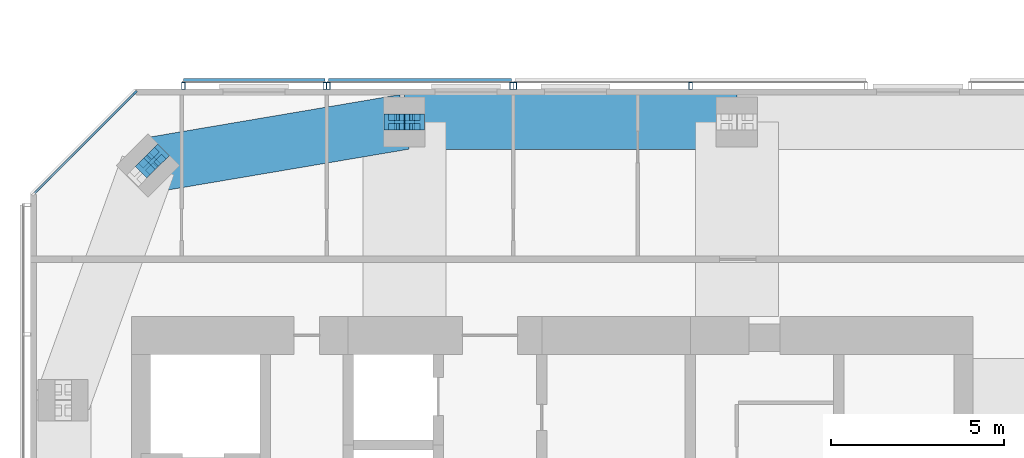
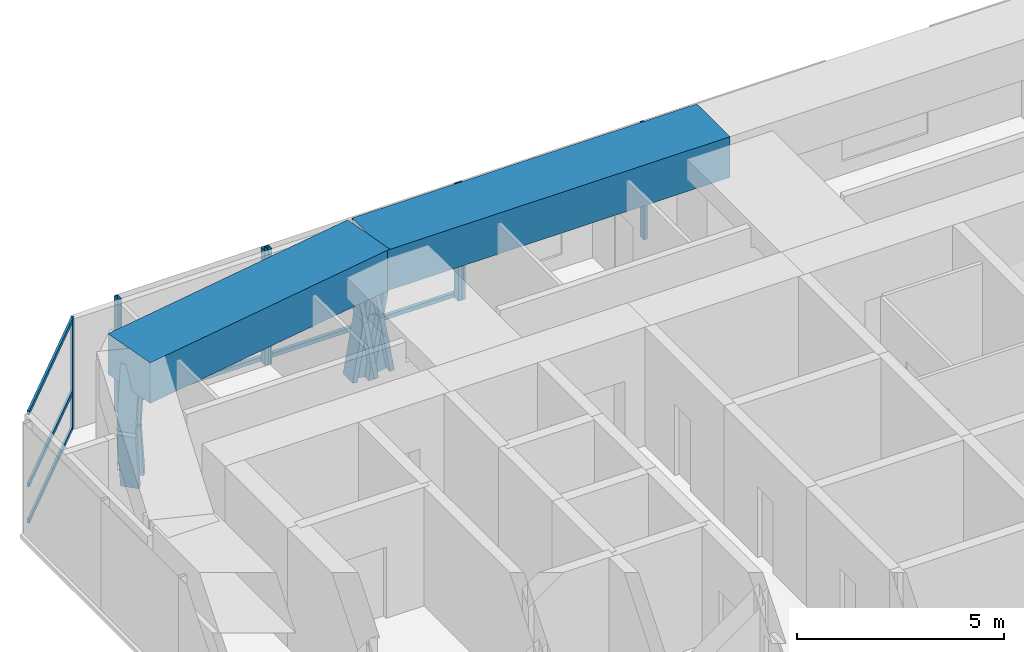
# One storey, part 10 of 20: 18 members, 2 beams, 4 elements without a shape of their own.
"""IFC4 building model written with IfcOpenShell, lengths in metres."""

from ifc_helpers import new_model, si_unit, direction, frame, origin, origin_2d, place, context, subcontext, project, spatial, rectangle, hollow_rectangle, i_section, extrude, material, material_profile, profile_set, type_object, element, aggregate, save


model = new_model("IFC4")

# Units and contexts
model_context = context("Model", 3, precision=1e-05, world=origin(), true_north=direction((0.0, 1.0)))
body_context = subcontext(model_context, "Body", "Model", "MODEL_VIEW")
ifc_project = project(units=[si_unit("LENGTHUNIT", "METRE"), si_unit("AREAUNIT", "SQUARE_METRE"), si_unit("VOLUMEUNIT", "CUBIC_METRE"), si_unit("PLANEANGLEUNIT", "RADIAN"), si_unit("MASSUNIT", "GRAM", prefix="KILO")], contexts=[model_context])

# Site, building, storey
site_placement = place(None, origin())
site = spatial("IfcSite", under=ifc_project, at=site_placement, CompositionType="ELEMENT")
building_placement = place(site_placement, origin())
building = spatial("IfcBuilding", under=site, at=building_placement, Name="Jalousie Tower", CompositionType="ELEMENT")
storey_placement = place(building_placement, frame((0.0, 0.0, 245.949951171875)))
storey = spatial("IfcBuildingStorey", under=building, at=storey_placement, Name="L67", CompositionType="ELEMENT", Elevation=245.949951171875)

# Curtain wall, members
ifc_material_1 = material(Name="Aluminium curtain wall", Category="aluminium")
curtain_wall_type_1 = type_object("IfcCurtainWallType", Name="CORNER WINDOW WALL", PredefinedType="USERDEFINED", material=ifc_material_1)
curtain_wall_1_placement = place(storey_placement, origin())
curtain_wall_1 = element("IfcCurtainWall", 1, at=curtain_wall_1_placement, inside=storey, type_object=curtain_wall_type_1, Name="Corner Window Wall L67 6", ObjectType="CORNER WINDOW WALL", PredefinedType="USERDEFINED")
ifc_material_2 = material(Name="Aluminium mullion", Category="aluminium")
ifc_material_profile_1 = material_profile(ifc_material_2, rectangle(XDim=0.06005859375, YDim=0.14990234375, at=origin_2d()), Name="MULLION 60x150")
ifc_profile_set_1 = profile_set([ifc_material_profile_1], Name="Aluminium mullion")
member_type_1 = type_object("IfcMemberType", Name="CORNER WINDOW WALL MULLION", PredefinedType="MULLION", material=ifc_profile_set_1)
member_1_placement = place(storey_placement, frame((19.830078125, 33.891357421875, 0.0), z_axis=(0.0, 0.0, 1.0), x_axis=(0.707106781187, -0.707106781187, 0.0)))
member_1 = element("IfcMember", 2, at=member_1_placement, type_object=member_type_1, Name="CW-C mullion 1", PredefinedType="MULLION", context=body_context, shape_type="SweptSolid", body=[
    extrude(rectangle(XDim=0.06005859375, YDim=0.14990234375, at=origin_2d()), origin(), (0.0, 0.0, 1.0), 3.260009765625),
])
ifc_material_3 = material(Name="Aluminium transom", Category="aluminium")
ifc_material_profile_2 = material_profile(ifc_material_3, rectangle(XDim=0.06005859375, YDim=0.1201171875, at=origin_2d()), Name="TRANSOM 60x120")
ifc_profile_set_2 = profile_set([ifc_material_profile_2], Name="Aluminium transom")
member_type_2 = type_object("IfcMemberType", Name="CORNER WINDOW WALL TRANSOM", PredefinedType="USERDEFINED", material=ifc_profile_set_2)
member_2_placement = place(storey_placement, frame((19.808837890625, 33.8701171875, 0.030029296875), z_axis=(-0.707106781187, -0.707106781187, 0.0), x_axis=(0.707106781187, -0.707106781187, 0.0)))
member_2 = element("IfcMember", 3, at=member_2_placement, type_object=member_type_2, Name="CW-C transom 1.1", ObjectType="TRANSOM", PredefinedType="USERDEFINED", context=body_context, shape_type="SweptSolid", body=[
    extrude(rectangle(XDim=0.06005859375, YDim=0.1201171875, at=origin_2d()), origin(), (0.0, 0.0, 1.0), 4.0712890625),
])
member_3_placement = place(storey_placement, frame((19.808837890625, 33.8701171875, 1.10009765625), z_axis=(-0.707106781187, -0.707106781187, 0.0), x_axis=(0.707106781187, -0.707106781187, 0.0)))
member_3 = element("IfcMember", 4, at=member_3_placement, type_object=member_type_2, Name="CW-C transom 1.2", ObjectType="TRANSOM", PredefinedType="USERDEFINED", context=body_context, shape_type="SweptSolid", body=[
    extrude(rectangle(XDim=0.06005859375, YDim=0.1201171875, at=origin_2d()), origin(), (0.0, 0.0, 1.0), 4.0712890625),
])
member_4_placement = place(storey_placement, frame((19.808837890625, 33.8701171875, 3.22998046875), z_axis=(-0.707106781187, -0.707106781187, 0.0), x_axis=(0.707106781187, -0.707106781187, 0.0)))
member_4 = element("IfcMember", 5, at=member_4_placement, type_object=member_type_2, Name="CW-C transom 1.3", ObjectType="TRANSOM", PredefinedType="USERDEFINED", context=body_context, shape_type="SweptSolid", body=[
    extrude(rectangle(XDim=0.06005859375, YDim=0.1201171875, at=origin_2d()), origin(), (0.0, 0.0, 1.0), 4.0712890625),
])
aggregate(curtain_wall_1, [member_1, member_2, member_3, member_4])

# Members
ifc_material_4 = material(Name="Steel ASTM A992 Grade 50", Category="steel")
ifc_material_profile_3 = material_profile(ifc_material_4, i_section(OverallWidth=0.472412109375, OverallDepth=0.5791015625, WebThickness=0.094970703125, FlangeThickness=0.1298828125, at=origin_2d()), Name="W14X808")
ifc_profile_set_3 = profile_set([ifc_material_profile_3], Name="Steel ASTM A992 Grade 50")
member_type_3 = type_object("IfcMemberType", Name="PERIMETER BRACE W14X808", PredefinedType="BRACE", material=ifc_profile_set_3)
for number, where, z_axis, x_axis, name in (
    (6, (27.324951171875, 33.050048828125, -0.599853515625), (0.168990530437, 0.0, 0.98561767467), (0.0, 1.0, 0.0), "Perimeter brace 11 L67 part 1"),
    (7, (27.625, 33.050048828125, 1.150146484375), (0.168990530437, 0.0, 0.98561767467), (0.0, 1.0, 0.0), "Perimeter brace 11 L67 part 2"),
    (8, (27.925048828125, 33.050048828125, -0.599853515625), (-0.168990530437, 0.0, 0.98561767467), (0.0, -1.0, 0.0), "Perimeter brace 11 L67 part 3"),
    (9, (27.625, 33.050048828125, 1.150146484375), (-0.168990530437, 0.0, 0.98561767467), (0.0, -1.0, 0.0), "Perimeter brace 11 L67 part 4"),
):
    element("IfcMember", number, at=place(storey_placement, frame(where, z_axis=z_axis, x_axis=x_axis)), inside=storey, type_object=member_type_3, Name=name, PredefinedType="BRACE", context=body_context, shape_type="SweptSolid", body=[
        extrude(i_section(OverallWidth=0.472412109375, OverallDepth=0.5791015625, WebThickness=0.094970703125, FlangeThickness=0.1298828125, at=origin_2d()), origin(), (0.0, 0.0, 1.0), 1.775634765625),
    ])
for number, where, z_axis, x_axis, name in (
    (10, (20.45458984375, 32.040283203125, -0.599853515625), (-0.138716051522, -0.138579250682, 0.980588419435), (0.706757851183, -0.707455539091, 0.0), "Perimeter brace 12 L67 part 1"),
    (11, (20.20703125, 31.79296875, 1.150146484375), (0.138716051522, 0.138579250682, 0.980588419435), (-0.706757851183, 0.707455539091, 0.0), "Perimeter brace 12 L67 part 4"),
):
    element("IfcMember", number, at=place(storey_placement, frame(where, z_axis=z_axis, x_axis=x_axis)), inside=storey, type_object=member_type_3, Name=name, PredefinedType="BRACE", context=body_context, shape_type="SweptSolid", body=[
        extrude(i_section(OverallWidth=0.472412109375, OverallDepth=0.5791015625, WebThickness=0.094970703125, FlangeThickness=0.1298828125, at=origin_2d()), origin(), (0.0, 0.0, 1.0), 1.78466796875),
    ])

# Beams
ifc_material_5 = material(Name="Concrete f'c 40 MPa", Category="concrete")
ifc_material_profile_4 = material_profile(ifc_material_5, rectangle(XDim=1.60009765625, YDim=1.199951171875, at=origin_2d()), Name="RC 1600x1200")
ifc_profile_set_4 = profile_set([ifc_material_profile_4], Name="Concrete f'c 40 MPa")
beam_type = type_object("IfcBeamType", Name="RC BEAM 1600x1200", PredefinedType="BEAM", material=ifc_profile_set_4)
beam_1_placement = place(storey_placement, frame((37.25, 33.050048828125, 2.900146484375), z_axis=(-1.0, 0.0, 0.0), x_axis=(0.0, -1.0, 0.0)))
element("IfcBeam", 12, at=beam_1_placement, inside=storey, type_object=beam_type, Name="Edge band beam 10-11 under L68", PredefinedType="BEAM", context=body_context, shape_type="SweptSolid", body=[
    extrude(rectangle(XDim=1.60009765625, YDim=1.199951171875, at=origin_2d()), origin(), (0.0, 0.0, 1.0), 9.625),
])
beam_2_placement = place(storey_placement, frame((27.625, 33.050048828125, 2.900146484375), z_axis=(-0.985942997446, -0.167082033105, 0.0), x_axis=(0.167082033105, -0.985942997446, 0.0)))
element("IfcBeam", 13, at=beam_2_placement, inside=storey, type_object=beam_type, Name="Edge band beam 11-12 under L68", PredefinedType="BEAM", context=body_context, shape_type="SweptSolid", body=[
    extrude(rectangle(XDim=1.60009765625, YDim=1.199951171875, at=origin_2d()), origin(), (0.0, 0.0, 1.0), 7.523681640625),
])

# Curtain wall, members
ifc_material_6 = material(Name="Perforated aluminium sheet", Category="aluminium")
curtain_wall_type_2 = type_object("IfcCurtainWallType", Name="SOLAR SCREEN SS-2", PredefinedType="USERDEFINED", material=ifc_material_6)
curtain_wall_2_placement = place(storey_placement, origin())
curtain_wall_2 = element("IfcCurtainWall", 14, at=curtain_wall_2_placement, inside=storey, type_object=curtain_wall_type_2, Name="Solar screen L67", ObjectType="SOLAR SCREEN SS-2", PredefinedType="USERDEFINED")
ifc_material_7 = material(Name="Steel ASTM A500 Grade C", Category="steel")
ifc_material_profile_5 = material_profile(ifc_material_7, hollow_rectangle(XDim=0.1015625, YDim=0.203125, WallThickness=0.0078125, at=origin_2d()), Name="HSS8X4X5/16")
ifc_profile_set_5 = profile_set([ifc_material_profile_5], Name="Steel ASTM A500 Grade C")
member_type_4 = type_object("IfcMemberType", Name="SOLAR SCREEN SS-2 MULLION", PredefinedType="MULLION", material=ifc_profile_set_5)
member_5_placement = place(storey_placement, frame((35.90673828125, 34.0966796875, -0.119873046875), z_axis=(0.0, 0.0, 1.0), x_axis=(-1.0, 0.0, 0.0)))
member_5 = element("IfcMember", 15, at=member_5_placement, type_object=member_type_4, Name="SS2 post 2", PredefinedType="MULLION", context=body_context, shape_type="SweptSolid", body=[
    extrude(hollow_rectangle(XDim=0.1015625, YDim=0.203125, WallThickness=0.0078125, at=origin_2d()), origin(), (0.0, 0.0, 1.0), 3.3798828125),
])
member_6_placement = place(storey_placement, frame((30.824951171875, 34.0966796875, -0.119873046875), z_axis=(0.0, 0.0, 1.0), x_axis=(-1.0, 0.0, 0.0)))
member_6 = element("IfcMember", 16, at=member_6_placement, type_object=member_type_4, Name="SS2 post 3", PredefinedType="MULLION", context=body_context, shape_type="SweptSolid", body=[
    extrude(hollow_rectangle(XDim=0.1015625, YDim=0.203125, WallThickness=0.0078125, at=origin_2d()), origin(), (0.0, 0.0, 1.0), 3.3798828125),
])
aggregate(curtain_wall_2, [member_5, member_6])

curtain_wall_3_placement = place(storey_placement, origin())
curtain_wall_3 = element("IfcCurtainWall", 17, at=curtain_wall_3_placement, inside=storey, type_object=curtain_wall_type_2, Name="Solar screen L67", ObjectType="SOLAR SCREEN SS-2", PredefinedType="USERDEFINED")
member_7_placement = place(storey_placement, frame((30.72509765625, 34.0966796875, -0.119873046875), z_axis=(0.0, 0.0, 1.0), x_axis=(-1.0, 0.0, 0.0)))
member_7 = element("IfcMember", 18, at=member_7_placement, type_object=member_type_4, Name="SS2 post 1", PredefinedType="MULLION", context=body_context, shape_type="SweptSolid", body=[
    extrude(hollow_rectangle(XDim=0.1015625, YDim=0.203125, WallThickness=0.0078125, at=origin_2d()), origin(), (0.0, 0.0, 1.0), 3.3798828125),
])
member_8_placement = place(storey_placement, frame((25.425048828125, 34.0966796875, -0.119873046875), z_axis=(0.0, 0.0, 1.0), x_axis=(-1.0, 0.0, 0.0)))
member_8 = element("IfcMember", 19, at=member_8_placement, type_object=member_type_4, Name="SS2 post 2", PredefinedType="MULLION", context=body_context, shape_type="SweptSolid", body=[
    extrude(hollow_rectangle(XDim=0.1015625, YDim=0.203125, WallThickness=0.0078125, at=origin_2d()), origin(), (0.0, 0.0, 1.0), 3.3798828125),
])

curtain_wall_4_placement = place(storey_placement, origin())
curtain_wall_4 = element("IfcCurtainWall", 20, at=curtain_wall_4_placement, inside=storey, type_object=curtain_wall_type_2, Name="Solar screen L67", ObjectType="SOLAR SCREEN SS-2", PredefinedType="USERDEFINED")
member_9_placement = place(storey_placement, frame((25.324951171875, 34.0966796875, -0.119873046875), z_axis=(0.0, 0.0, 1.0), x_axis=(-1.0, 0.0, 0.0)))
member_9 = element("IfcMember", 21, at=member_9_placement, type_object=member_type_4, Name="SS2 post 1", PredefinedType="MULLION", context=body_context, shape_type="SweptSolid", body=[
    extrude(hollow_rectangle(XDim=0.1015625, YDim=0.203125, WallThickness=0.0078125, at=origin_2d()), origin(), (0.0, 0.0, 1.0), 3.3798828125),
])
member_10_placement = place(storey_placement, frame((21.226318359375, 34.0966796875, -0.119873046875), z_axis=(0.0, 0.0, 1.0), x_axis=(-1.0, 0.0, 0.0)))
member_10 = element("IfcMember", 22, at=member_10_placement, type_object=member_type_4, Name="SS2 post 2", PredefinedType="MULLION", context=body_context, shape_type="SweptSolid", body=[
    extrude(hollow_rectangle(XDim=0.1015625, YDim=0.203125, WallThickness=0.0078125, at=origin_2d()), origin(), (0.0, 0.0, 1.0), 3.3798828125),
])

# Member
ifc_material_8 = material(Name="Extruded aluminium screen rail", Category="aluminium")
ifc_material_profile_6 = material_profile(ifc_material_8, rectangle(XDim=0.1015625, YDim=0.1201171875, at=origin_2d()), Name="RAIL 102x120")
ifc_profile_set_6 = profile_set([ifc_material_profile_6], Name="Extruded aluminium screen rail")
member_type_5 = type_object("IfcMemberType", Name="SOLAR SCREEN SS-2 TRANSOM", PredefinedType="USERDEFINED", material=ifc_profile_set_6)
member_11_placement = place(storey_placement, frame((30.72509765625, 34.2490234375, -0.06005859375), z_axis=(-1.0, 0.0, 0.0), x_axis=(0.0, -1.0, 0.0)))
member_11 = element("IfcMember", 23, at=member_11_placement, type_object=member_type_5, Name="SS2 rail", ObjectType="TRANSOM", PredefinedType="USERDEFINED", context=body_context, shape_type="SweptSolid", body=[
    extrude(rectangle(XDim=0.1015625, YDim=0.1201171875, at=origin_2d()), origin(), (0.0, 0.0, 1.0), 5.300048828125),
])

aggregate(curtain_wall_3, [member_7, member_8, member_11])

member_12_placement = place(storey_placement, frame((25.324951171875, 34.2490234375, -0.06005859375), z_axis=(-1.0, 0.0, 0.0), x_axis=(0.0, -1.0, 0.0)))
member_12 = element("IfcMember", 24, at=member_12_placement, type_object=member_type_5, Name="SS2 rail", ObjectType="TRANSOM", PredefinedType="USERDEFINED", context=body_context, shape_type="SweptSolid", body=[
    extrude(rectangle(XDim=0.1015625, YDim=0.1201171875, at=origin_2d()), origin(), (0.0, 0.0, 1.0), 4.0986328125),
])

aggregate(curtain_wall_4, [member_9, member_10, member_12])

save(model, "model.ifc")
